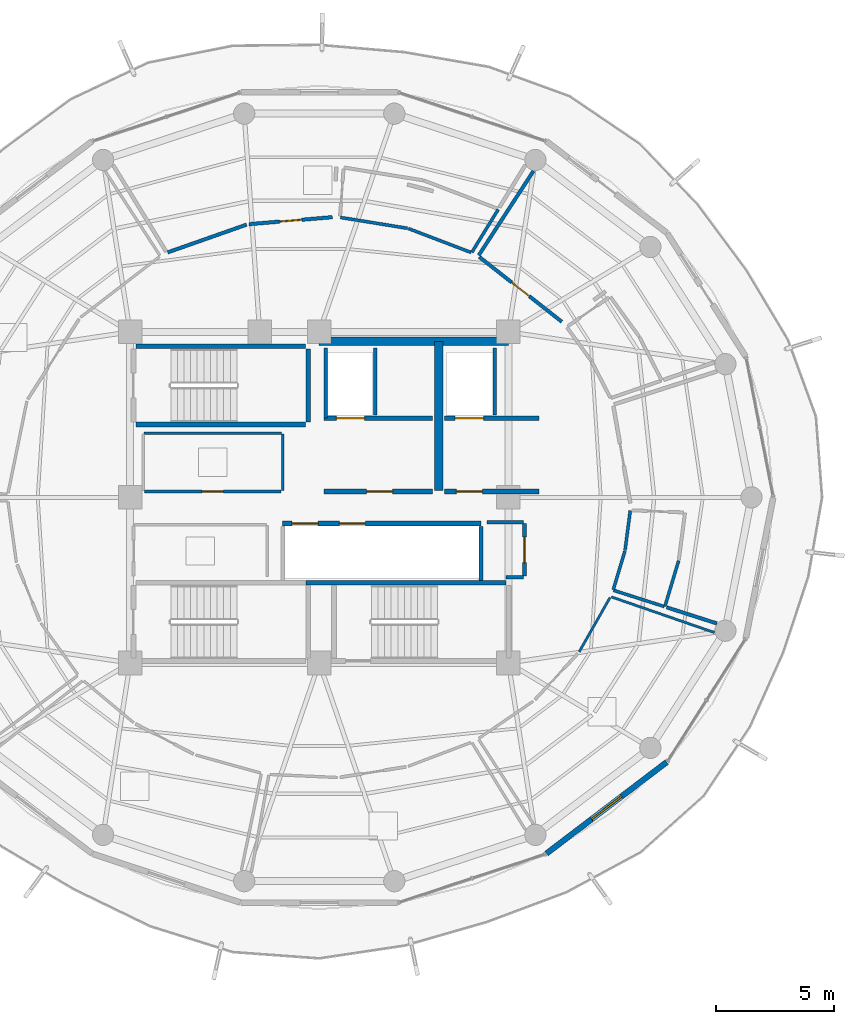
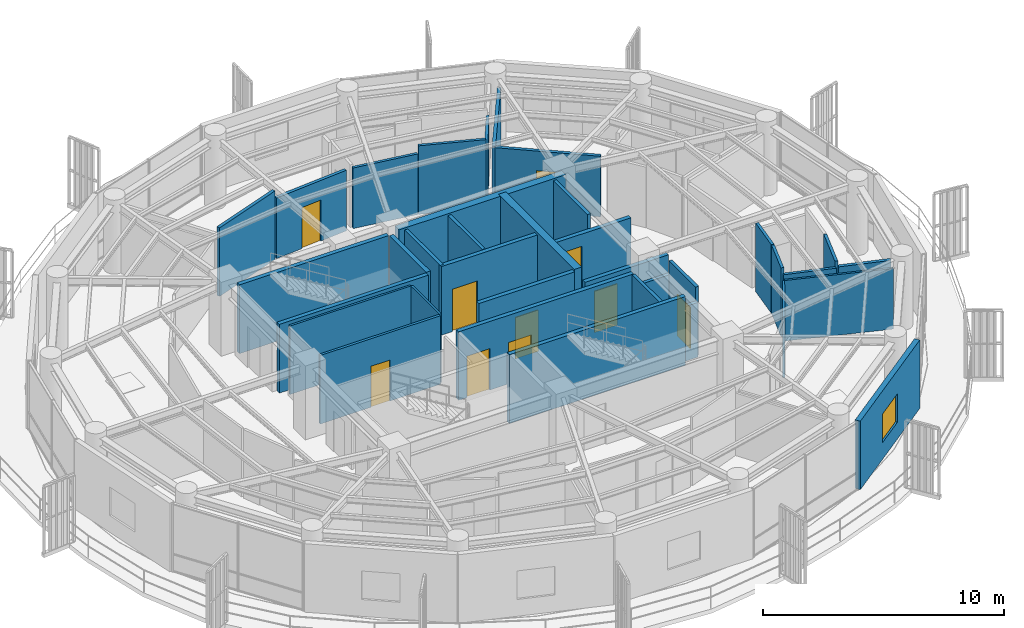
# One storey, part 16 of 22: 36 walls, 10 doors, 1 window, 11 openings.
"""IFC4 building model written with IfcOpenShell, lengths in metres."""

from ifc_helpers import new_model, si_unit, direction, frame, frame_2d, origin, place, context, subcontext, project, spatial, rectangle, extrude, material, layer, layer_set, type_object, element, fill, save


model = new_model("IFC4")

# Units and contexts
model_context = context("Model", 3, precision=1e-05, world=origin(), true_north=direction((0.0, 1.0)))
body_context = subcontext(model_context, "Body", "Model", "MODEL_VIEW")
ifc_project = project(units=[si_unit("LENGTHUNIT", "METRE"), si_unit("AREAUNIT", "SQUARE_METRE"), si_unit("VOLUMEUNIT", "CUBIC_METRE"), si_unit("PLANEANGLEUNIT", "RADIAN"), si_unit("MASSUNIT", "GRAM", prefix="KILO")], contexts=[model_context])

# Site, building, storey
site_placement = place(None, origin())
site = spatial("IfcSite", under=ifc_project, at=site_placement, CompositionType="ELEMENT")
building_placement = place(site_placement, origin())
building = spatial("IfcBuilding", under=site, at=building_placement, Name="Kelanora Arch Commons", CompositionType="ELEMENT")
storey_placement = place(building_placement, frame((0.0, 0.0, 259.949951171875)))
storey = spatial("IfcBuildingStorey", under=building, at=storey_placement, Name="L66", CompositionType="ELEMENT", Elevation=259.949951171875)

# Walls
ifc_material_1 = material(Name="Autoclaved aerated concrete blockwork with fire plaster", Category="masonry")
ifc_layer_1 = layer(ifc_material_1, 0.14990234375)
ifc_layer_set_1 = layer_set([ifc_layer_1], Name="Autoclaved aerated concrete blockwork with fire plaster")
wall_type_1 = type_object("IfcWallType", Name="W-COMP-150", PredefinedType="PARTITIONING", material=ifc_layer_set_1)
wall_1_placement = place(storey_placement, frame((74.280029296875, 61.35009765625, 0.0), z_axis=(0.0, 0.0, 1.0), x_axis=(0.0, 1.0, 0.0)))
element("IfcWall", 1, at=wall_1_placement, inside=storey, type_object=wall_type_1, Name="Firefighting Lift 1 West Shaft Wall L66", PredefinedType="PARTITIONING", context=body_context, shape_type="SweptSolid", body=[
    extrude(rectangle(XDim=2.969970703125, YDim=0.14990234375, at=frame_2d((1.48486328125, 0.0))), origin(), (0.0, 0.0, 1.0), 3.47998046875),
])
for number, where, z_axis, x_axis, name in (
    (2, (76.360107421875, 61.47998046875, 0.0), (0.0, 0.0, 1.0), (0.0, 1.0, 0.0), "Firefighting Lift 1 East Shaft Wall L66"),
    (3, (81.419921875, 61.47998046875, 0.0), (0.0, 0.0, 1.0), (0.0, 1.0, 0.0), "Firefighting Lift 2 East Shaft Wall L66"),
):
    element("IfcWall", number, at=place(storey_placement, frame(where, z_axis=z_axis, x_axis=x_axis)), inside=storey, type_object=wall_type_1, Name=name, PredefinedType="PARTITIONING", context=body_context, shape_type="SweptSolid", body=[
        extrude(rectangle(XDim=2.840087890625, YDim=0.14990234375, at=frame_2d((1.419921875, 0.0))), origin(), (0.0, 0.0, 1.0), 3.47998046875),
    ])
wall_2_placement = place(storey_placement, frame((80.840087890625, 54.47998046875, 0.0), z_axis=(0.0, 0.0, 1.0), x_axis=(0.0, 1.0, 0.0)))
element("IfcWall", 4, at=wall_2_placement, inside=storey, type_object=wall_type_1, Name="South Lift Bank East Wall L66", PredefinedType="PARTITIONING", context=body_context, shape_type="SweptSolid", body=[
    extrude(rectangle(XDim=2.2900390625, YDim=0.14990234375, at=frame_2d((1.14501953125, 0.0))), origin(), (0.0, 0.0, 1.0), 3.47998046875),
])

# Wall, opening, door
wall_3_placement = place(storey_placement, frame((82.679931640625, 54.679931640625, 0.0), z_axis=(0.0, 0.0, 1.0), x_axis=(0.0, 1.0, 0.0)))
wall_3 = element("IfcWall", 5, at=wall_3_placement, inside=storey, type_object=wall_type_1, Name="Core Housekeeping Store L66 Entry Partition", PredefinedType="PARTITIONING", context=body_context, shape_type="SweptSolid", body=[
    extrude(rectangle(XDim=2.2099609375, YDim=0.14990234375, at=frame_2d((1.10498046875, 0.0))), origin(), (0.0, 0.0, 1.0), 3.47998046875),
])
opening_1_placement = place(wall_3_placement, frame((0.56494140625, 0.0, 0.0)))
opening_1 = element("IfcOpeningElement", 6, at=opening_1_placement, cuts=wall_3, Name="Opening D-PLT1", PredefinedType="OPENING", context=body_context, shape_type="SweptSolid", body=[
    extrude(rectangle(XDim=1.080078125, YDim=2.10009765625, at=frame_2d((0.5400390625, 1.050048828125))), frame((0.0, 0.0849609375, 0.0), z_axis=(0.0, -1.0, 0.0), x_axis=(1.0, 0.0, 0.0)), (0.0, 0.0, 1.0), 0.169921875),
])
ifc_material_2 = material(Name="Galvanised steel plant and riser fire door", Category="steel")
door_type_1 = type_object("IfcDoorType", Name="D-PLT-110", OperationType="NOTDEFINED", PredefinedType="DOOR", material=ifc_material_2)
door_1_placement = place(opening_1_placement, origin())
door_1 = element("IfcDoor", 7, at=door_1_placement, inside=storey, type_object=door_type_1, Name="Core Housekeeping Store L66 Door", OperationType="SINGLE_SWING_RIGHT", OverallHeight=2.10009765625, OverallWidth=1.080078125, PredefinedType="DOOR", context=body_context, shape_type="SweptSolid", body=[
    extrude(rectangle(XDim=1.080078125, YDim=2.10009765625, at=frame_2d((0.5400390625, 1.050048828125))), frame((0.0, 0.02490234375, 0.0), z_axis=(0.0, -1.0, 0.0), x_axis=(1.0, 0.0, 0.0)), (0.0, 0.0, 1.0), 0.050048828125),
])
fill(opening_1, door_1)

wall_4_placement = place(storey_placement, frame((84.2548828125, 65.43212890625, 0.0), z_axis=(0.0, 0.0, 1.0), x_axis=(-0.786354671358, 0.617775307724, 0.0)))
wall_4 = element("IfcWall", 8, at=wall_4_placement, inside=storey, type_object=wall_type_1, Name="Co-Living Studio L66-01 Entry Partition", PredefinedType="PARTITIONING", context=body_context, shape_type="SweptSolid", body=[
    extrude(rectangle(XDim=4.43017578125, YDim=0.14990234375, at=frame_2d((2.215087890625, 0.0))), origin(), (0.0, 0.0, 1.0), 3.074951171875),
])
opening_2_placement = place(wall_4_placement, frame((1.739990234375, 0.0, 0.0)))
opening_2 = element("IfcOpeningElement", 9, at=opening_2_placement, cuts=wall_4, Name="Opening D-CLU1", PredefinedType="OPENING", context=body_context, shape_type="SweptSolid", body=[
    extrude(rectangle(XDim=0.949951171875, YDim=2.080078125, at=frame_2d((0.47509765625, 1.0400390625))), frame((0.0, 0.0849609375, 0.0), z_axis=(0.0, -1.0, 0.0), x_axis=(1.0, 0.0, 0.0)), (0.0, 0.0, 1.0), 0.169921875),
])
ifc_material_3 = material(Name="Solid-core acoustic timber cluster entry fire door", Category="wood")
door_type_2 = type_object("IfcDoorType", Name="D-CLU-95", OperationType="NOTDEFINED", PredefinedType="DOOR", material=ifc_material_3)
door_2_placement = place(opening_2_placement, origin())
door_2 = element("IfcDoor", 10, at=door_2_placement, inside=storey, type_object=door_type_2, Name="Co-Living Studio L66-01 Door", OperationType="SINGLE_SWING_RIGHT", OverallHeight=2.080078125, OverallWidth=0.949951171875, PredefinedType="DOOR", context=body_context, shape_type="SweptSolid", body=[
    extrude(rectangle(XDim=0.949951171875, YDim=2.080078125, at=frame_2d((0.47509765625, 1.0400390625))), frame((0.0, 0.02490234375, 0.0), z_axis=(0.0, -1.0, 0.0), x_axis=(1.0, 0.0, 0.0)), (0.0, 0.0, 1.0), 0.050048828125),
])
fill(opening_2, door_2)

wall_5_placement = place(storey_placement, frame((74.55322265625, 69.85205078125, 0.0), z_axis=(0.0, 0.0, 1.0), x_axis=(-0.996494196011, -0.083661922741, 0.0)))
wall_5 = element("IfcWall", 11, at=wall_5_placement, inside=storey, type_object=wall_type_1, Name="Co-Living Studio L66-02 Entry Partition", PredefinedType="PARTITIONING", context=body_context, shape_type="SweptSolid", body=[
    extrude(rectangle(XDim=3.539794921875, YDim=0.14990234375, at=frame_2d((1.77001953125, 0.0))), origin(), (0.0, 0.0, 1.0), 3.074951171875),
])
opening_3_placement = place(wall_5_placement, frame((1.294921875, 0.0, 0.0)))
opening_3 = element("IfcOpeningElement", 12, at=opening_3_placement, cuts=wall_5, Name="Opening D-CLU1", PredefinedType="OPENING", context=body_context, shape_type="SweptSolid", body=[
    extrude(rectangle(XDim=0.949951171875, YDim=2.080078125, at=frame_2d((0.47509765625, 1.0400390625))), frame((0.0, 0.0849609375, 0.0), z_axis=(0.0, -1.0, 0.0), x_axis=(1.0, 0.0, 0.0)), (0.0, 0.0, 1.0), 0.169921875),
])
door_3_placement = place(opening_3_placement, origin())
door_3 = element("IfcDoor", 13, at=door_3_placement, inside=storey, type_object=door_type_2, Name="Co-Living Studio L66-02 Door", OperationType="SINGLE_SWING_RIGHT", OverallHeight=2.080078125, OverallWidth=0.949951171875, PredefinedType="DOOR", context=body_context, shape_type="SweptSolid", body=[
    extrude(rectangle(XDim=0.949951171875, YDim=2.080078125, at=frame_2d((0.47509765625, 1.0400390625))), frame((0.0, 0.02490234375, 0.0), z_axis=(0.0, -1.0, 0.0), x_axis=(1.0, 0.0, 0.0)), (0.0, 0.0, 1.0), 0.050048828125),
])
fill(opening_3, door_3)

# Walls
wall_6_placement = place(storey_placement, frame((81.89990234375, 54.6201171875, 0.0), z_axis=(0.0, 0.0, 1.0), x_axis=(1.0, 0.0, 0.0)))
element("IfcWall", 14, at=wall_6_placement, inside=storey, type_object=wall_type_1, Name="Core Housekeeping Store L66 Enclosure Partition 1", PredefinedType="PARTITIONING", context=body_context, shape_type="SweptSolid", body=[
    extrude(rectangle(XDim=0.739990234375, YDim=0.14990234375, at=frame_2d((0.3701171875, 0.0))), origin(), (0.0, 0.0, 1.0), 2.775146484375),
])
wall_7_placement = place(storey_placement, frame((82.639892578125, 56.949951171875, 0.0), z_axis=(0.0, 0.0, 1.0), x_axis=(-1.0, 0.0, 0.0)))
element("IfcWall", 15, at=wall_7_placement, inside=storey, type_object=wall_type_1, Name="Core Housekeeping Store L66 Enclosure Partition 3", PredefinedType="PARTITIONING", context=body_context, shape_type="SweptSolid", body=[
    extrude(rectangle(XDim=1.5498046875, YDim=0.14990234375, at=frame_2d((0.77490234375, 0.0))), origin(), (0.0, 0.0, 1.0), 2.775146484375),
])
wall_8_placement = place(storey_placement, frame((80.745849609375, 68.239501953125, 0.0), z_axis=(0.0, 0.0, 1.0), x_axis=(0.544234825024, 0.838932926539, 0.0)))
element("IfcWall", 16, at=wall_8_placement, inside=storey, type_object=wall_type_1, Name="Co-Living Studio L66-01 Enclosure Partition 2", PredefinedType="PARTITIONING", context=body_context, shape_type="SweptSolid", body=[
    extrude(rectangle(XDim=4.2490234375, YDim=0.14990234375, at=frame_2d((2.12451171875, 0.0))), origin(), (0.0, 0.0, 1.0), 3.074951171875),
])
wall_9_placement = place(storey_placement, frame((70.92822265625, 69.53759765625, 0.0), z_axis=(0.0, 0.0, 1.0), x_axis=(-0.943334007166, -0.331844769319, 0.0)))
element("IfcWall", 17, at=wall_9_placement, inside=storey, type_object=wall_type_1, Name="Co-Living Studio L66-02 Enclosure Partition 2", PredefinedType="PARTITIONING", context=body_context, shape_type="SweptSolid", body=[
    extrude(rectangle(XDim=3.535888671875, YDim=0.14990234375, at=frame_2d((1.76806640625, 0.0))), origin(), (0.0, 0.0, 1.0), 3.47998046875),
])
wall_10_placement = place(storey_placement, frame((90.815673828125, 52.6708984375, 0.0), z_axis=(0.0, 0.0, 1.0), x_axis=(-0.952285550261, 0.305208503755, 0.0)))
element("IfcWall", 18, at=wall_10_placement, inside=storey, type_object=wall_type_1, Name="Co-Living Studio L66-08 Enclosure Partition 5", PredefinedType="PARTITIONING", context=body_context, shape_type="SweptSolid", body=[
    extrude(rectangle(XDim=2.23095703125, YDim=0.14990234375, at=frame_2d((1.115478515625, 0.0))), origin(), (0.0, 0.0, 1.0), 3.235107421875),
])
ifc_material_4 = material(Name="Concrete C50/60", Category="concrete")
ifc_layer_2 = layer(ifc_material_4, 0.35009765625)
ifc_layer_set_2 = layer_set([ifc_layer_2], Name="Concrete C50/60")
wall_type_2 = type_object("IfcWallType", Name="W-CORE-350", PredefinedType="SHEAR", material=ifc_layer_set_2)
wall_11_placement = place(storey_placement, frame((74.0, 64.60009765625, 0.0), z_axis=(0.0, 0.0, 1.0), x_axis=(1.0, 0.0, 0.0)))
element("IfcWall", 19, at=wall_11_placement, inside=storey, type_object=wall_type_2, Name="Core Shear Spine L66-CN-E", PredefinedType="SHEAR", context=body_context, shape_type="SweptSolid", body=[
    extrude(rectangle(XDim=8.0, YDim=0.35009765625, at=frame_2d((4.0, 0.0))), origin(), (0.0, 0.0, 1.0), 3.489990234375),
])
wall_12_placement = place(storey_placement, frame((79.050048828125, 58.300048828125, 0.0), z_axis=(0.0, 0.0, 1.0), x_axis=(0.0, 1.0, 0.0)))
element("IfcWall", 20, at=wall_12_placement, inside=storey, type_object=wall_type_2, Name="Core Shear Spine L66-CE-N", PredefinedType="SHEAR", context=body_context, shape_type="SweptSolid", body=[
    extrude(rectangle(XDim=6.300048828125, YDim=0.35009765625, at=frame_2d((3.14990234375, 0.0))), origin(), (0.0, 0.0, 1.0), 3.489990234375),
])

# Wall, opening, window
ifc_material_5 = material(Name="Precast concrete C40/50 upper-zone terracotta rainscreen", Category="masonry")
ifc_layer_3 = layer(ifc_material_5, 0.239990234375)
ifc_layer_set_3 = layer_set([ifc_layer_3], Name="Precast concrete C40/50 upper-zone terracotta rainscreen")
wall_type_3 = type_object("IfcWallType", Name="W-EXT-TC2", PredefinedType="SOLIDWALL", material=ifc_layer_set_3)
wall_13_placement = place(storey_placement, frame((83.61181640625, 42.940185546875, 0.0), z_axis=(0.0, 0.0, 1.0), x_axis=(0.796010444211, 0.605282886514, 0.0)))
wall_13 = element("IfcWall", 21, at=wall_13_placement, inside=storey, type_object=wall_type_3, Name="Terracotta Exterior Wall L66-B15", PredefinedType="SOLIDWALL", context=body_context, shape_type="SweptSolid", body=[
    extrude(rectangle(XDim=6.387451171875, YDim=0.239990234375, at=frame_2d((3.19384765625, 0.0))), origin(), (0.0, 0.0, 1.0), 3.47509765625),
])
opening_4_placement = place(wall_13_placement, frame((2.39404296875, 0.0, 0.85009765625)))
opening_4 = element("IfcOpeningElement", 22, at=opening_4_placement, cuts=wall_13, Name="Opening WN-01", PredefinedType="OPENING", context=body_context, shape_type="SweptSolid", body=[
    extrude(rectangle(XDim=1.60009765625, YDim=1.449951171875, at=frame_2d((0.800048828125, 0.72509765625))), frame((0.0, 0.1298828125, 0.0), z_axis=(0.0, -1.0, 0.0), x_axis=(1.0, 0.0, 0.0)), (0.0, 0.0, 1.0), 0.260009765625),
])
ifc_material_6 = material(Name="Terracotta-anodised aluminium frame with operable low-E glazing", Category="masonry")
window_type = type_object("IfcWindowType", Name="WIN-CL-18", PartitioningType="DOUBLE_PANEL_VERTICAL", PredefinedType="WINDOW", material=ifc_material_6)
window_placement = place(opening_4_placement, origin())
window = element("IfcWindow", 23, at=window_placement, inside=storey, type_object=window_type, Name="Co-Living Operable Window L66-B15", OverallHeight=1.449951171875, OverallWidth=1.60009765625, PartitioningType="SINGLE_PANEL", PredefinedType="WINDOW", context=body_context, shape_type="SweptSolid", body=[
    extrude(rectangle(XDim=1.60009765625, YDim=1.449951171875, at=frame_2d((0.800048828125, 0.72509765625))), frame((0.0, 0.030029296875, 0.0), z_axis=(0.0, -1.0, 0.0), x_axis=(1.0, 0.0, 0.0)), (0.0, 0.0, 1.0), 0.06005859375),
])
fill(opening_4, window)

# Wall, opening, door
ifc_material_7 = material(Name="Concrete C40/50", Category="concrete")
ifc_layer_4 = layer(ifc_material_7, 0.199951171875)
ifc_layer_set_4 = layer_set([ifc_layer_4], Name="Concrete C40/50")
wall_type_4 = type_object("IfcWallType", Name="W-FFL-200", PredefinedType="SOLIDWALL", material=ifc_layer_set_4)
wall_14_placement = place(storey_placement, frame((74.199951171875, 61.35009765625, 0.0), z_axis=(0.0, 0.0, 1.0), x_axis=(1.0, 0.0, 0.0)))
wall_14 = element("IfcWall", 24, at=wall_14_placement, inside=storey, type_object=wall_type_4, Name="Firefighting Lift 1 Shaft Front L66", PredefinedType="SOLIDWALL", context=body_context, shape_type="SweptSolid", body=[
    extrude(rectangle(XDim=4.60009765625, YDim=0.199951171875, at=frame_2d((2.300048828125, 0.0))), origin(), (0.0, 0.0, 1.0), 3.47998046875),
])
opening_5_placement = place(wall_14_placement, frame((0.52001953125, 0.0, 0.0)))
opening_5 = element("IfcOpeningElement", 25, at=opening_5_placement, cuts=wall_14, Name="Opening LD-FF", PredefinedType="OPENING", context=body_context, shape_type="SweptSolid", body=[
    extrude(rectangle(XDim=1.199951171875, YDim=2.14990234375, at=frame_2d((0.60009765625, 1.074951171875))), frame((0.0, 0.10986328125, 0.0), z_axis=(0.0, -1.0, 0.0), x_axis=(1.0, 0.0, 0.0)), (0.0, 0.0, 1.0), 0.219970703125),
])
ifc_material_8 = material(Name="Fire-rated firefighters lift sliding landing door")
door_type_3 = type_object("IfcDoorType", Name="D-LIFT-FF", OperationType="NOTDEFINED", PredefinedType="DOOR", material=ifc_material_8)
door_4_placement = place(opening_5_placement, origin())
door_4 = element("IfcDoor", 26, at=door_4_placement, inside=storey, type_object=door_type_3, Name="Firefighting Lift LF-FF1 Landing Door L66", OperationType="DOUBLE_DOOR_SLIDING", OverallHeight=2.14990234375, OverallWidth=1.199951171875, PredefinedType="DOOR", context=body_context, shape_type="SweptSolid", body=[
    extrude(rectangle(XDim=1.199951171875, YDim=2.14990234375, at=frame_2d((0.60009765625, 1.074951171875))), frame((0.0, 0.02490234375, 0.0), z_axis=(0.0, -1.0, 0.0), x_axis=(1.0, 0.0, 0.0)), (0.0, 0.0, 1.0), 0.050048828125),
])
fill(opening_5, door_4)

wall_15_placement = place(storey_placement, frame((79.300048828125, 61.35009765625, 0.0), z_axis=(0.0, 0.0, 1.0), x_axis=(1.0, 0.0, 0.0)))
wall_15 = element("IfcWall", 27, at=wall_15_placement, inside=storey, type_object=wall_type_4, Name="Firefighting Lift 2 Shaft Front L66", PredefinedType="SOLIDWALL", context=body_context, shape_type="SweptSolid", body=[
    extrude(rectangle(XDim=4.0, YDim=0.199951171875, at=frame_2d((2.0, 0.0))), origin(), (0.0, 0.0, 1.0), 2.775146484375),
])
opening_6_placement = place(wall_15_placement, frame((0.449951171875, 0.0, 0.0)))
opening_6 = element("IfcOpeningElement", 28, at=opening_6_placement, cuts=wall_15, Name="Opening LD-FF", PredefinedType="OPENING", context=body_context, shape_type="SweptSolid", body=[
    extrude(rectangle(XDim=1.199951171875, YDim=2.14990234375, at=frame_2d((0.60009765625, 1.074951171875))), frame((0.0, 0.10986328125, 0.0), z_axis=(0.0, -1.0, 0.0), x_axis=(1.0, 0.0, 0.0)), (0.0, 0.0, 1.0), 0.219970703125),
])
door_5_placement = place(opening_6_placement, origin())
door_5 = element("IfcDoor", 29, at=door_5_placement, inside=storey, type_object=door_type_3, Name="Firefighting Lift LF-FF2 Landing Door L66", OperationType="DOUBLE_DOOR_SLIDING", OverallHeight=2.14990234375, OverallWidth=1.199951171875, PredefinedType="DOOR", context=body_context, shape_type="SweptSolid", body=[
    extrude(rectangle(XDim=1.199951171875, YDim=2.14990234375, at=frame_2d((0.60009765625, 1.074951171875))), frame((0.0, 0.02490234375, 0.0), z_axis=(0.0, -1.0, 0.0), x_axis=(1.0, 0.0, 0.0)), (0.0, 0.0, 1.0), 0.050048828125),
])
fill(opening_6, door_5)

wall_16_placement = place(storey_placement, frame((74.199951171875, 58.25, 0.0), z_axis=(0.0, 0.0, 1.0), x_axis=(1.0, 0.0, 0.0)))
wall_16 = element("IfcWall", 30, at=wall_16_placement, inside=storey, type_object=wall_type_4, Name="Firefighting Lobby 1 Enclosure Wall L66", PredefinedType="SOLIDWALL", context=body_context, shape_type="SweptSolid", body=[
    extrude(rectangle(XDim=4.60009765625, YDim=0.199951171875, at=frame_2d((2.300048828125, 0.0))), origin(), (0.0, 0.0, 1.0), 3.47998046875),
])
opening_7_placement = place(wall_16_placement, frame((1.800048828125, 0.0, 0.0)))
opening_7 = element("IfcOpeningElement", 31, at=opening_7_placement, cuts=wall_16, Name="Opening D-FFL1", PredefinedType="OPENING", context=body_context, shape_type="SweptSolid", body=[
    extrude(rectangle(XDim=1.10009765625, YDim=2.10009765625, at=frame_2d((0.550048828125, 1.050048828125))), frame((0.0, 0.10986328125, 0.0), z_axis=(0.0, -1.0, 0.0), x_axis=(1.0, 0.0, 0.0)), (0.0, 0.0, 1.0), 0.219970703125),
])
ifc_material_9 = material(Name="Smoke-sealed firefighting lobby fire door")
door_type_4 = type_object("IfcDoorType", Name="D-FFL-110", OperationType="NOTDEFINED", PredefinedType="DOOR", material=ifc_material_9)
door_6_placement = place(opening_7_placement, frame((1.10009765625, 0.0, 0.0), z_axis=(0.0, 0.0, 1.0), x_axis=(-1.0, 0.0, 0.0)))
door_6 = element("IfcDoor", 32, at=door_6_placement, inside=storey, type_object=door_type_4, Name="Firefighting Lobby 1 Door L66", OperationType="SINGLE_SWING_LEFT", OverallHeight=2.10009765625, OverallWidth=1.10009765625, PredefinedType="DOOR", context=body_context, shape_type="SweptSolid", body=[
    extrude(rectangle(XDim=1.10009765625, YDim=2.10009765625, at=frame_2d((0.550048828125, 1.050048828125))), frame((0.0, 0.02490234375, 0.0), z_axis=(0.0, -1.0, 0.0), x_axis=(1.0, 0.0, 0.0)), (0.0, 0.0, 1.0), 0.050048828125),
])
fill(opening_7, door_6)

wall_17_placement = place(storey_placement, frame((79.300048828125, 58.25, 0.0), z_axis=(0.0, 0.0, 1.0), x_axis=(1.0, 0.0, 0.0)))
wall_17 = element("IfcWall", 33, at=wall_17_placement, inside=storey, type_object=wall_type_4, Name="Firefighting Lobby 2 Enclosure Wall L66", PredefinedType="SOLIDWALL", context=body_context, shape_type="SweptSolid", body=[
    extrude(rectangle(XDim=4.0, YDim=0.199951171875, at=frame_2d((2.0, 0.0))), origin(), (0.0, 0.0, 1.0), 2.775146484375),
])
opening_8_placement = place(wall_17_placement, frame((0.5, 0.0, 0.0)))
opening_8 = element("IfcOpeningElement", 34, at=opening_8_placement, cuts=wall_17, Name="Opening D-FFL1", PredefinedType="OPENING", context=body_context, shape_type="SweptSolid", body=[
    extrude(rectangle(XDim=1.10009765625, YDim=2.10009765625, at=frame_2d((0.550048828125, 1.050048828125))), frame((0.0, 0.10986328125, 0.0), z_axis=(0.0, -1.0, 0.0), x_axis=(1.0, 0.0, 0.0)), (0.0, 0.0, 1.0), 0.219970703125),
])
door_7_placement = place(opening_8_placement, frame((1.10009765625, 0.0, 0.0), z_axis=(0.0, 0.0, 1.0), x_axis=(-1.0, 0.0, 0.0)))
door_7 = element("IfcDoor", 35, at=door_7_placement, inside=storey, type_object=door_type_4, Name="Firefighting Lobby 2 Door L66", OperationType="SINGLE_SWING_RIGHT", OverallHeight=2.10009765625, OverallWidth=1.10009765625, PredefinedType="DOOR", context=body_context, shape_type="SweptSolid", body=[
    extrude(rectangle(XDim=1.10009765625, YDim=2.10009765625, at=frame_2d((0.550048828125, 1.050048828125))), frame((0.0, 0.02490234375, 0.0), z_axis=(0.0, -1.0, 0.0), x_axis=(1.0, 0.0, 0.0)), (0.0, 0.0, 1.0), 0.050048828125),
])
fill(opening_8, door_7)

# Wall, openings, doors
wall_18_placement = place(storey_placement, frame((72.449951171875, 56.89990234375, 0.0), z_axis=(0.0, 0.0, 1.0), x_axis=(1.0, 0.0, 0.0)))
wall_18 = element("IfcWall", 36, at=wall_18_placement, inside=storey, type_object=wall_type_4, Name="Mid/High/Express Lift Shaft Front L66", PredefinedType="SOLIDWALL", context=body_context, shape_type="SweptSolid", body=[
    extrude(rectangle(XDim=8.400146484375, YDim=0.199951171875, at=frame_2d((4.2001953125, 0.0))), origin(), (0.0, 0.0, 1.0), 3.47998046875),
])
opening_9_placement = place(wall_18_placement, frame((0.39990234375, 0.0, 0.0)))
opening_9 = element("IfcOpeningElement", 37, at=opening_9_placement, cuts=wall_18, Name="Opening LD-01", PredefinedType="OPENING", context=body_context, shape_type="SweptSolid", body=[
    extrude(rectangle(XDim=1.10009765625, YDim=2.10009765625, at=frame_2d((0.550048828125, 1.050048828125))), frame((0.0, 0.10986328125, 0.0), z_axis=(0.0, -1.0, 0.0), x_axis=(1.0, 0.0, 0.0)), (0.0, 0.0, 1.0), 0.219970703125),
])
opening_10_placement = place(wall_18_placement, frame((2.39990234375, 0.0, 0.0)))
opening_10 = element("IfcOpeningElement", 38, at=opening_10_placement, cuts=wall_18, Name="Opening LD-01", PredefinedType="OPENING", context=body_context, shape_type="SweptSolid", body=[
    extrude(rectangle(XDim=1.10009765625, YDim=2.10009765625, at=frame_2d((0.550048828125, 1.050048828125))), frame((0.0, 0.10986328125, 0.0), z_axis=(0.0, -1.0, 0.0), x_axis=(1.0, 0.0, 0.0)), (0.0, 0.0, 1.0), 0.219970703125),
])
ifc_material_10 = material(Name="Stainless steel passenger lift sliding landing door", Category="steel")
door_type_5 = type_object("IfcDoorType", Name="D-LIFT-110", OperationType="NOTDEFINED", PredefinedType="DOOR", material=ifc_material_10)
door_8_placement = place(opening_9_placement, origin())
door_8 = element("IfcDoor", 39, at=door_8_placement, inside=storey, type_object=door_type_5, Name="Passenger Lift LF-P7 Landing Door L66", OperationType="DOUBLE_DOOR_SLIDING", OverallHeight=2.10009765625, OverallWidth=1.10009765625, PredefinedType="DOOR", context=body_context, shape_type="SweptSolid", body=[
    extrude(rectangle(XDim=1.10009765625, YDim=2.10009765625, at=frame_2d((0.550048828125, 1.050048828125))), frame((0.0, 0.02490234375, 0.0), z_axis=(0.0, -1.0, 0.0), x_axis=(1.0, 0.0, 0.0)), (0.0, 0.0, 1.0), 0.050048828125),
])
fill(opening_9, door_8)
door_9_placement = place(opening_10_placement, origin())
door_9 = element("IfcDoor", 40, at=door_9_placement, inside=storey, type_object=door_type_5, Name="Passenger Lift LF-P8 Landing Door L66", OperationType="DOUBLE_DOOR_SLIDING", OverallHeight=2.10009765625, OverallWidth=1.10009765625, PredefinedType="DOOR", context=body_context, shape_type="SweptSolid", body=[
    extrude(rectangle(XDim=1.10009765625, YDim=2.10009765625, at=frame_2d((0.550048828125, 1.050048828125))), frame((0.0, 0.02490234375, 0.0), z_axis=(0.0, -1.0, 0.0), x_axis=(1.0, 0.0, 0.0)), (0.0, 0.0, 1.0), 0.050048828125),
])
fill(opening_10, door_9)

# Walls
ifc_material_11 = material(Name="Lightweight fire-rated acoustic stud partition")
ifc_layer_5 = layer(ifc_material_11, 0.10009765625)
ifc_layer_set_5 = layer_set([ifc_layer_5], Name="Lightweight fire-rated acoustic stud partition")
wall_type_5 = type_object("IfcWallType", Name="W-PART-100", PredefinedType="PARTITIONING", material=ifc_layer_set_5)
wall_19_placement = place(storey_placement, frame((72.449951171875, 58.2900390625, 0.0), z_axis=(0.0, 0.0, 1.0), x_axis=(0.0, 1.0, 0.0)))
element("IfcWall", 41, at=wall_19_placement, inside=storey, type_object=wall_type_5, Name="Reclaimed Core Study Pod Lounge L66 Enclosure Partition 2", PredefinedType="PARTITIONING", context=body_context, shape_type="SweptSolid", body=[
    extrude(rectangle(XDim=2.389892578125, YDim=0.10009765625, at=frame_2d((1.19482421875, 0.0))), origin(), (0.0, 0.0, 1.0), 3.47998046875),
])
wall_20_placement = place(storey_placement, frame((72.409912109375, 60.719970703125, 0.0), z_axis=(0.0, 0.0, 1.0), x_axis=(-1.0, 0.0, 0.0)))
element("IfcWall", 42, at=wall_20_placement, inside=storey, type_object=wall_type_5, Name="Reclaimed Core Study Pod Lounge L66 Enclosure Partition 3", PredefinedType="PARTITIONING", context=body_context, shape_type="SweptSolid", body=[
    extrude(rectangle(XDim=5.81982421875, YDim=0.10009765625, at=frame_2d((2.909912109375, 0.0))), origin(), (0.0, 0.0, 1.0), 3.47998046875),
])
wall_21_placement = place(storey_placement, frame((84.993896484375, 51.4716796875, 0.0), z_axis=(0.0, 0.0, 1.0), x_axis=(0.494277588427, 0.869304127207, 0.0)))
element("IfcWall", 43, at=wall_21_placement, inside=storey, type_object=wall_type_5, Name="Communal Dining and Social Hall L66-07 Enclosure Partition 3", PredefinedType="PARTITIONING", context=body_context, shape_type="SweptSolid", body=[
    extrude(rectangle(XDim=2.64306640625, YDim=0.10009765625, at=frame_2d((1.321533203125, 0.0))), origin(), (0.0, 0.0, 1.0), 3.074951171875),
])
wall_22_placement = place(storey_placement, frame((86.35791015625, 53.791015625, 0.0), z_axis=(0.0, 0.0, 1.0), x_axis=(0.945103281494, -0.326771766388, 0.0)))
element("IfcWall", 44, at=wall_22_placement, inside=storey, type_object=wall_type_5, Name="Communal Dining and Social Hall L66-07 Enclosure Partition 4", PredefinedType="PARTITIONING", context=body_context, shape_type="SweptSolid", body=[
    extrude(rectangle(XDim=4.603759765625, YDim=0.10009765625, at=frame_2d((2.3017578125, 0.0))), origin(), (0.0, 0.0, 1.0), 3.074951171875),
])

# Wall, opening, door
ifc_material_12 = material(Name="Acoustic twin-stud fire-rated gypsum partition")
ifc_layer_6 = layer(ifc_material_12, 0.1201171875)
ifc_layer_set_6 = layer_set([ifc_layer_6], Name="Acoustic twin-stud fire-rated gypsum partition")
wall_type_6 = type_object("IfcWallType", Name="W-PART-120", PredefinedType="PARTITIONING", material=ifc_layer_set_6)
wall_23_placement = place(storey_placement, frame((66.610107421875, 58.25, 0.0), z_axis=(0.0, 0.0, 1.0), x_axis=(1.0, 0.0, 0.0)))
wall_23 = element("IfcWall", 45, at=wall_23_placement, inside=storey, type_object=wall_type_6, Name="Reclaimed Core Study Pod Lounge L66 Entry Partition", PredefinedType="PARTITIONING", context=body_context, shape_type="SweptSolid", body=[
    extrude(rectangle(XDim=5.77978515625, YDim=0.1201171875, at=frame_2d((2.889892578125, 0.0))), origin(), (0.0, 0.0, 1.0), 3.47998046875),
])
opening_11_placement = place(wall_23_placement, frame((2.43994140625, 0.0, 0.0)))
opening_11 = element("IfcOpeningElement", 46, at=opening_11_placement, cuts=wall_23, Name="Opening D-RM1", PredefinedType="OPENING", context=body_context, shape_type="SweptSolid", body=[
    extrude(rectangle(XDim=0.89990234375, YDim=2.080078125, at=frame_2d((0.449951171875, 1.0400390625))), frame((0.0, 0.070068359375, 0.0), z_axis=(0.0, -1.0, 0.0), x_axis=(1.0, 0.0, 0.0)), (0.0, 0.0, 1.0), 0.14013671875),
])
ifc_material_13 = material(Name="Acoustic fire-rated timber study and lounge door", Category="wood")
door_type_6 = type_object("IfcDoorType", Name="D-ROOM-90", OperationType="NOTDEFINED", PredefinedType="DOOR", material=ifc_material_13)
door_10_placement = place(opening_11_placement, origin())
door_10 = element("IfcDoor", 47, at=door_10_placement, inside=storey, type_object=door_type_6, Name="Reclaimed Core Study Pod Lounge L66 Door", OperationType="SINGLE_SWING_LEFT", OverallHeight=2.080078125, OverallWidth=0.89990234375, PredefinedType="DOOR", context=body_context, shape_type="SweptSolid", body=[
    extrude(rectangle(XDim=0.89990234375, YDim=2.080078125, at=frame_2d((0.449951171875, 1.0400390625))), frame((0.0, 0.02490234375, 0.0), z_axis=(0.0, -1.0, 0.0), x_axis=(1.0, 0.0, 0.0)), (0.0, 0.0, 1.0), 0.050048828125),
])
fill(opening_11, door_10)

# Walls
ifc_layer_7 = layer(ifc_material_7, 0.199951171875)
ifc_layer_set_7 = layer_set([ifc_layer_7], Name="Concrete C40/50")
wall_type_7 = type_object("IfcWallType", Name="W-STAIR-200", PredefinedType="SHEAR", material=ifc_layer_set_7)
wall_24_placement = place(storey_placement, frame((66.260009765625, 61.080078125, 0.0), z_axis=(0.0, 0.0, 1.0), x_axis=(1.0, 0.0, 0.0)))
element("IfcWall", 48, at=wall_24_placement, inside=storey, type_object=wall_type_7, Name="Stair ST-T1 Shaft Wall S L66", PredefinedType="SHEAR", context=body_context, shape_type="SweptSolid", body=[
    extrude(rectangle(XDim=7.159912109375, YDim=0.199951171875, at=frame_2d((3.580078125, 0.0))), origin(), (0.0, 0.0, 1.0), 3.489990234375),
])
wall_25_placement = place(storey_placement, frame((73.5400390625, 61.199951171875, 0.0), z_axis=(0.0, 0.0, 1.0), x_axis=(0.0, 1.0, 0.0)))
element("IfcWall", 49, at=wall_25_placement, inside=storey, type_object=wall_type_7, Name="Stair ST-T1 Shaft Wall E L66", PredefinedType="SHEAR", context=body_context, shape_type="SweptSolid", body=[
    extrude(rectangle(XDim=3.070068359375, YDim=0.199951171875, at=frame_2d((1.53515625, 0.0))), origin(), (0.0, 0.0, 1.0), 3.489990234375),
])
wall_26_placement = place(storey_placement, frame((73.419921875, 64.389892578125, 0.0), z_axis=(0.0, 0.0, 1.0), x_axis=(-1.0, 0.0, 0.0)))
element("IfcWall", 50, at=wall_26_placement, inside=storey, type_object=wall_type_7, Name="Stair ST-T1 Shaft Wall N L66", PredefinedType="SHEAR", context=body_context, shape_type="SweptSolid", body=[
    extrude(rectangle(XDim=7.159912109375, YDim=0.199951171875, at=frame_2d((3.580078125, 0.0))), origin(), (0.0, 0.0, 1.0), 3.489990234375),
])
wall_27_placement = place(storey_placement, frame((81.89990234375, 54.389892578125, 0.0), z_axis=(0.0, 0.0, 1.0), x_axis=(-1.0, 0.0, 0.0)))
element("IfcWall", 51, at=wall_27_placement, inside=storey, type_object=wall_type_7, Name="Stair ST-T2 Shaft Wall N L66", PredefinedType="SHEAR", context=body_context, shape_type="SweptSolid", body=[
    extrude(rectangle(XDim=8.4599609375, YDim=0.199951171875, at=frame_2d((4.22998046875, 0.0))), origin(), (0.0, 0.0, 1.0), 3.489990234375),
])
ifc_material_14 = material(Name="Moisture-resistant fire-rated cement-board plumbing wall")
ifc_layer_8 = layer(ifc_material_14, 0.1298828125)
ifc_layer_set_8 = layer_set([ifc_layer_8], Name="Moisture-resistant fire-rated cement-board plumbing wall")
wall_type_8 = type_object("IfcWallType", Name="W-WET-120", PredefinedType="PLUMBINGWALL", material=ifc_layer_set_8)
wall_28_placement = place(storey_placement, frame((80.42626953125, 68.358154296875, 0.0), z_axis=(0.0, 0.0, 1.0), x_axis=(-0.934318832382, 0.35643838101, 0.0)))
element("IfcWall", 52, at=wall_28_placement, inside=storey, type_object=wall_type_8, Name="En-Suite Shower WC L66-02 Enclosure Partition 1", PredefinedType="PLUMBINGWALL", context=body_context, shape_type="SweptSolid", body=[
    extrude(rectangle(XDim=2.841064453125, YDim=0.1298828125, at=frame_2d((1.42041015625, 0.0))), origin(), (0.0, 0.0, 1.0), 3.47998046875),
])
wall_29_placement = place(storey_placement, frame((77.7333984375, 69.381103515625, 0.0), z_axis=(0.0, 0.0, 1.0), x_axis=(-0.987129766344, 0.159921306894, 0.0)))
element("IfcWall", 53, at=wall_29_placement, inside=storey, type_object=wall_type_8, Name="En-Suite Shower WC L66-02 Enclosure Partition 2", PredefinedType="PLUMBINGWALL", context=body_context, shape_type="SweptSolid", body=[
    extrude(rectangle(XDim=2.874755859375, YDim=0.1298828125, at=frame_2d((1.4375, 0.0))), origin(), (0.0, 0.0, 1.0), 3.074951171875),
])
wall_30_placement = place(storey_placement, frame((81.568603515625, 70.179931640625, 0.0), z_axis=(0.0, 0.0, 1.0), x_axis=(-0.523399053684, -0.852087689503, 0.0)))
element("IfcWall", 54, at=wall_30_placement, inside=storey, type_object=wall_type_8, Name="En-Suite Shower WC L66-02 Enclosure Partition 6", PredefinedType="PLUMBINGWALL", context=body_context, shape_type="SweptSolid", body=[
    extrude(rectangle(XDim=2.12646484375, YDim=0.1298828125, at=frame_2d((1.063232421875, 0.0))), origin(), (0.0, 0.0, 1.0), 3.175048828125),
])
wall_31_placement = place(storey_placement, frame((86.435791015625, 54.09619140625, 0.0), z_axis=(0.0, 0.0, 1.0), x_axis=(0.287308367232, 0.957838139833, 0.0)))
element("IfcWall", 55, at=wall_31_placement, inside=storey, type_object=wall_type_8, Name="En-Suite Shower WC L66-08 Enclosure Partition 1", PredefinedType="PLUMBINGWALL", context=body_context, shape_type="SweptSolid", body=[
    extrude(rectangle(XDim=1.700439453125, YDim=0.1298828125, at=frame_2d((0.85009765625, 0.0))), origin(), (0.0, 0.0, 1.0), 3.47998046875),
])
wall_32_placement = place(storey_placement, frame((86.9326171875, 55.763916015625, 0.0), z_axis=(0.0, 0.0, 1.0), x_axis=(0.130686363399, 0.991423761275, 0.0)))
element("IfcWall", 56, at=wall_32_placement, inside=storey, type_object=wall_type_8, Name="En-Suite Shower WC L66-08 Enclosure Partition 2", PredefinedType="PLUMBINGWALL", context=body_context, shape_type="SweptSolid", body=[
    extrude(rectangle(XDim=1.688720703125, YDim=0.1298828125, at=frame_2d((0.84423828125, 0.0))), origin(), (0.0, 0.0, 1.0), 3.47998046875),
])
wall_33_placement = place(storey_placement, frame((89.1982421875, 55.32177734375, 0.0), z_axis=(0.0, 0.0, 1.0), x_axis=(-0.286890981069, -0.957963237803, 0.0)))
element("IfcWall", 57, at=wall_33_placement, inside=storey, type_object=wall_type_8, Name="En-Suite Shower WC L66-08 Enclosure Partition 5", PredefinedType="PLUMBINGWALL", context=body_context, shape_type="SweptSolid", body=[
    extrude(rectangle(XDim=2.010009765625, YDim=0.1298828125, at=frame_2d((1.0048828125, 0.0))), origin(), (0.0, 0.0, 1.0), 3.47998046875),
])
wall_34_placement = place(storey_placement, frame((88.596923828125, 53.383056640625, 0.0), z_axis=(0.0, 0.0, 1.0), x_axis=(-0.952372601519, 0.304936760454, 0.0)))
element("IfcWall", 58, at=wall_34_placement, inside=storey, type_object=wall_type_8, Name="En-Suite Shower WC L66-08 Enclosure Partition 6", PredefinedType="PLUMBINGWALL", context=body_context, shape_type="SweptSolid", body=[
    extrude(rectangle(XDim=2.25537109375, YDim=0.1298828125, at=frame_2d((1.127685546875, 0.0))), origin(), (0.0, 0.0, 1.0), 3.175048828125),
])

save(model, "model.ifc")
